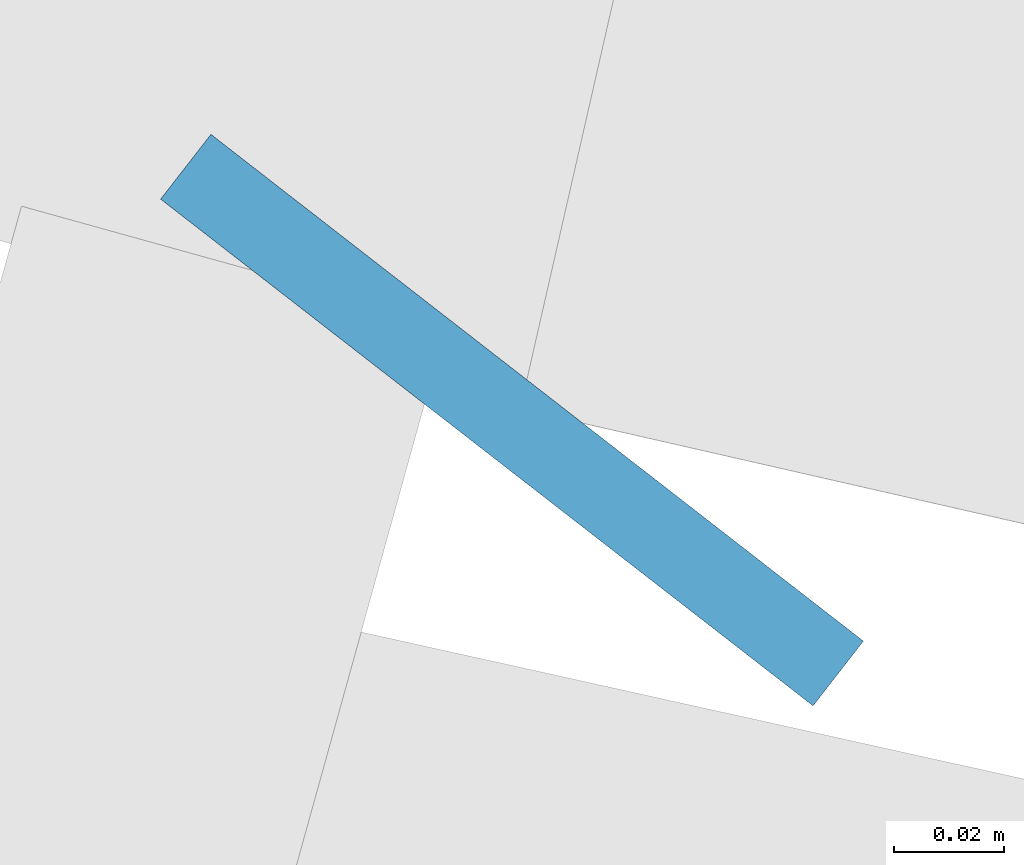
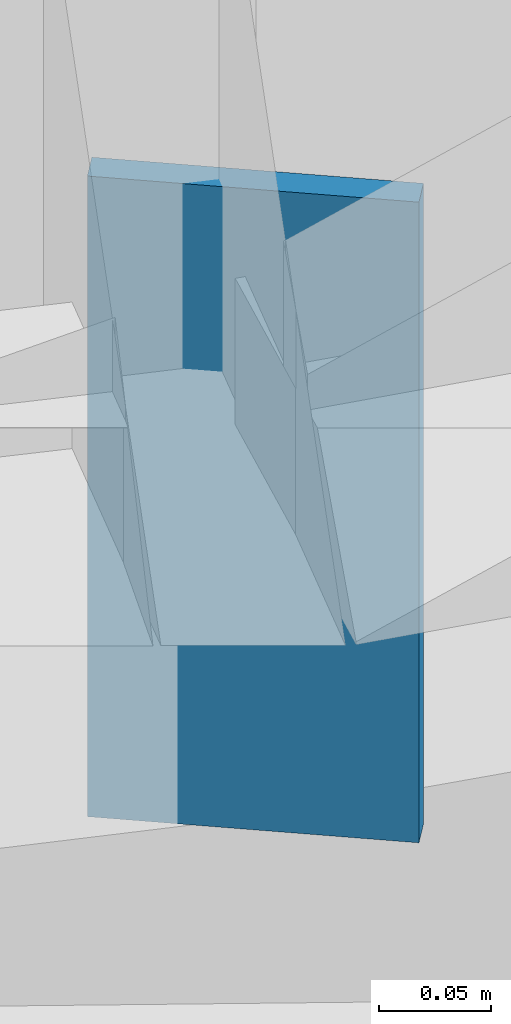
# One storey, part 16 of 27: 1 discrete accessory.
"""IFC4 building model written with IfcOpenShell, lengths in metres."""

from ifc_helpers import new_model, si_unit, direction, frame, origin, origin_2d, place, context, subcontext, project, spatial, rectangle, extrude, material, type_object, element, save


model = new_model("IFC4")

# Units and contexts
model_context = context("Model", 3, precision=1e-05, world=origin(), true_north=direction((0.0, 1.0)))
body_context = subcontext(model_context, "Body", "Model", "MODEL_VIEW")
ifc_project = project(units=[si_unit("LENGTHUNIT", "METRE"), si_unit("AREAUNIT", "SQUARE_METRE"), si_unit("VOLUMEUNIT", "CUBIC_METRE"), si_unit("PLANEANGLEUNIT", "RADIAN"), si_unit("MASSUNIT", "GRAM", prefix="KILO")], contexts=[model_context])

# Site, building, storey
site_placement = place(None, origin())
site = spatial("IfcSite", under=ifc_project, at=site_placement, CompositionType="ELEMENT")
building_placement = place(site_placement, origin())
building = spatial("IfcBuilding", under=site, at=building_placement, Name="Ghaith Harvest Tower", CompositionType="ELEMENT")
storey_placement = place(building_placement, frame((0.0, 0.0, 10.0)))
storey = spatial("IfcBuildingStorey", under=building, at=storey_placement, Name="L02", CompositionType="ELEMENT", Elevation=10.0)

# Discrete accessory
ifc_material = material(Name="Stainless steel grade 1.4401", Category="steel")
discrete_accessory_type = type_object("IfcDiscreteAccessoryType", Name="CURTAIN WALL BRACKET 15", PredefinedType="BRACKET", material=ifc_material)
discrete_accessory_placement = place(storey_placement, frame((-21.125244140625, -27.201171875, -0.25), z_axis=(0.0, 0.0, 1.0), x_axis=(-0.613377713774, -0.789789706343, 0.0)))
element("IfcDiscreteAccessory", 1, at=discrete_accessory_placement, inside=storey, type_object=discrete_accessory_type, Name="CW-P bracket 1 bay 14 L02", PredefinedType="BRACKET", context=body_context, shape_type="SweptSolid", body=[
    extrude(rectangle(XDim=0.014892578125, YDim=0.14990234375, at=origin_2d()), origin(), (0.0, 0.0, 1.0), 0.35009765625),
])

save(model, "model.ifc")
